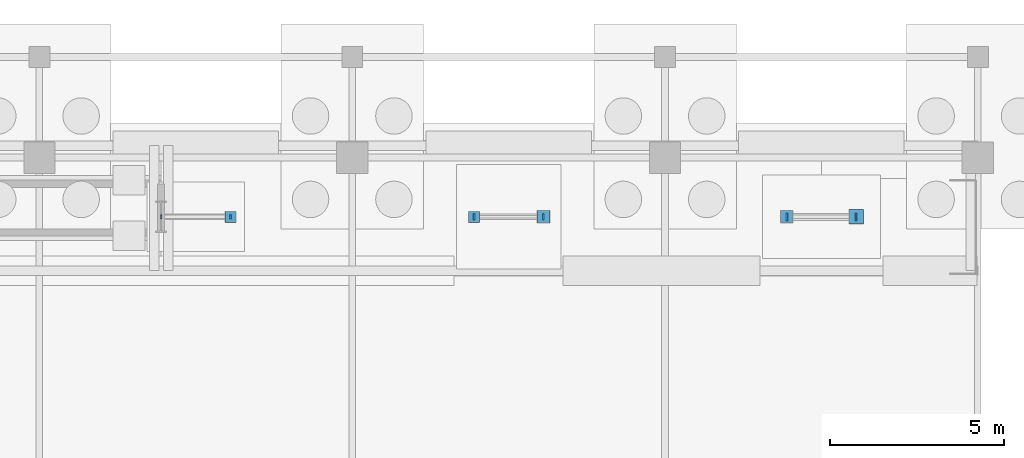
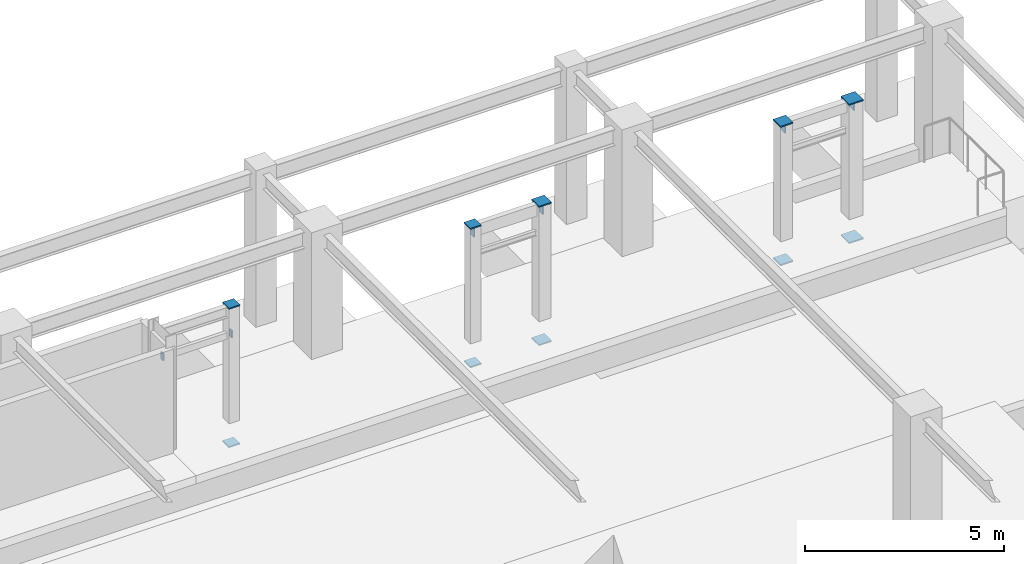
# One storey, part 143 of 160: 16 discrete accessories.
"""IFC4 building model written with IfcOpenShell, lengths in metres."""

from ifc_helpers import new_model, si_unit, direction, frame, origin, origin_2d, place, context, subcontext, project, spatial, rectangle, extrude, material, element, save


model = new_model("IFC4")

# Units and contexts
model_context = context("Model", 3, precision=1e-05, world=origin(), true_north=direction((0.0, 1.0)))
body_context = subcontext(model_context, "Body", "Model", "MODEL_VIEW")
ifc_project = project(units=[si_unit("LENGTHUNIT", "METRE"), si_unit("AREAUNIT", "SQUARE_METRE"), si_unit("VOLUMEUNIT", "CUBIC_METRE"), si_unit("PLANEANGLEUNIT", "RADIAN"), si_unit("MASSUNIT", "GRAM", prefix="KILO")], contexts=[model_context])

# Site, building, storey
site_placement = place(None, origin())
site = spatial("IfcSite", under=ifc_project, at=site_placement, CompositionType="ELEMENT")
building_placement = place(site_placement, origin())
building = spatial("IfcBuilding", under=site, at=building_placement, Name="Marlcrest Central Station", CompositionType="ELEMENT")
storey_placement = place(building_placement, origin())
storey = spatial("IfcBuildingStorey", under=building, at=storey_placement, Name="L00", CompositionType="ELEMENT", Elevation=0.0)

# Discrete accessories
ifc_material = material(Name="Steel S355", Category="steel")
for number, where, z_axis, x_axis, name in (
    (1, (194.5, 93.800048828125, 0.18505859375), (0.0, 0.0, 1.0), (1.0, 0.0, 0.0), "endcap-col-SC-19-L00-0928-s"),
    (2, (194.5, 93.800048828125, 4.425048828125), (0.0, 0.0, 1.0), (1.0, 0.0, 0.0), "endcap-col-SC-19-L00-0928-e"),
):
    element("IfcDiscreteAccessory", number, at=place(storey_placement, frame(where, z_axis=z_axis, x_axis=x_axis)), inside=storey, material=ifc_material, Name=name, ObjectType="END_CAP_PLATE", PredefinedType="BRACKET", context=body_context, shape_type="SweptSolid", body=[
        extrude(rectangle(XDim=0.31591796875, YDim=0.31591796875, at=origin_2d()), origin(), (0.0, 0.0, 1.0), 0.0400390625),
    ])
for number, where, z_axis, x_axis, name in (
    (3, (192.485107421875, 93.800048828125, 3.550048828125), (1.0, 0.0, 0.0), (0.0, 1.0, 0.0), "endcap-mem-PR-08-L00-02555-s"),
    (4, (194.47509765625, 93.800048828125, 3.550048828125), (1.0, 0.0, 0.0), (0.0, 1.0, 0.0), "endcap-mem-PR-08-L00-02555-e"),
):
    element("IfcDiscreteAccessory", number, at=place(storey_placement, frame(where, z_axis=z_axis, x_axis=x_axis)), inside=storey, material=ifc_material, Name=name, ObjectType="END_CAP_PLATE", PredefinedType="BRACKET", context=body_context, shape_type="SweptSolid", body=[
        extrude(rectangle(XDim=0.115966796875, YDim=0.216064453125, at=origin_2d()), origin(), (0.0, 0.0, 1.0), 0.0400390625),
    ])
for number, where, z_axis, x_axis, name in (
    (5, (201.5, 93.800048828125, 0.18505859375), (0.0, 0.0, 1.0), (1.0, 0.0, 0.0), "endcap-col-SC-19-L00-0931-s"),
    (6, (201.5, 93.800048828125, 4.425048828125), (0.0, 0.0, 1.0), (1.0, 0.0, 0.0), "endcap-col-SC-19-L00-0931-e"),
):
    element("IfcDiscreteAccessory", number, at=place(storey_placement, frame(where, z_axis=z_axis, x_axis=x_axis)), inside=storey, material=ifc_material, Name=name, ObjectType="END_CAP_PLATE", PredefinedType="BRACKET", context=body_context, shape_type="SweptSolid", body=[
        extrude(rectangle(XDim=0.31591796875, YDim=0.31591796875, at=origin_2d()), origin(), (0.0, 0.0, 1.0), 0.0400390625),
    ])
for number, where, z_axis, x_axis, name in (
    (7, (203.5, 93.800048828125, 0.18505859375), (0.0, 0.0, 1.0), (1.0, 0.0, 0.0), "endcap-col-SC-20-L00-0932-s"),
    (8, (203.5, 93.800048828125, 4.425048828125), (0.0, 0.0, 1.0), (1.0, 0.0, 0.0), "endcap-col-SC-20-L00-0932-e"),
):
    element("IfcDiscreteAccessory", number, at=place(storey_placement, frame(where, z_axis=z_axis, x_axis=x_axis)), inside=storey, material=ifc_material, Name=name, ObjectType="END_CAP_PLATE", PredefinedType="BRACKET", context=body_context, shape_type="SweptSolid", body=[
        extrude(rectangle(XDim=0.365966796875, YDim=0.365966796875, at=origin_2d()), origin(), (0.0, 0.0, 1.0), 0.0400390625),
    ])
for number, where, z_axis, x_axis, name in (
    (9, (201.485107421875, 93.800048828125, 4.27490234375), (1.0, 0.0, 0.0), (0.0, 1.0, 0.0), "endcap-bm-SP-04-L00-01563-s"),
    (10, (203.47509765625, 93.800048828125, 4.27490234375), (1.0, 0.0, 0.0), (0.0, 1.0, 0.0), "endcap-bm-SP-04-L00-01563-e"),
):
    element("IfcDiscreteAccessory", number, at=place(storey_placement, frame(where, z_axis=z_axis, x_axis=x_axis)), inside=storey, material=ifc_material, Name=name, ObjectType="END_CAP_PLATE", PredefinedType="BRACKET", context=body_context, shape_type="SweptSolid", body=[
        extrude(rectangle(XDim=0.166015625, YDim=0.365966796875, at=origin_2d()), origin(), (0.0, 0.0, 1.0), 0.0400390625),
    ])
for number, where, z_axis, x_axis, name in (
    (11, (210.5, 93.800048828125, 0.18505859375), (0.0, 0.0, 1.0), (1.0, 0.0, 0.0), "endcap-col-SC-20-L00-0935-s"),
    (12, (210.5, 93.800048828125, 4.425048828125), (0.0, 0.0, 1.0), (1.0, 0.0, 0.0), "endcap-col-SC-20-L00-0935-e"),
):
    element("IfcDiscreteAccessory", number, at=place(storey_placement, frame(where, z_axis=z_axis, x_axis=x_axis)), inside=storey, material=ifc_material, Name=name, ObjectType="END_CAP_PLATE", PredefinedType="BRACKET", context=body_context, shape_type="SweptSolid", body=[
        extrude(rectangle(XDim=0.365966796875, YDim=0.365966796875, at=origin_2d()), origin(), (0.0, 0.0, 1.0), 0.0400390625),
    ])
for number, where, z_axis, x_axis, name in (
    (13, (212.5, 93.800048828125, 0.18505859375), (0.0, 0.0, 1.0), (1.0, 0.0, 0.0), "endcap-col-SC-21-L00-0936-s"),
    (14, (212.5, 93.800048828125, 4.425048828125), (0.0, 0.0, 1.0), (1.0, 0.0, 0.0), "endcap-col-SC-21-L00-0936-e"),
):
    element("IfcDiscreteAccessory", number, at=place(storey_placement, frame(where, z_axis=z_axis, x_axis=x_axis)), inside=storey, material=ifc_material, Name=name, ObjectType="END_CAP_PLATE", PredefinedType="BRACKET", context=body_context, shape_type="SweptSolid", body=[
        extrude(rectangle(XDim=0.416015625, YDim=0.416015625, at=origin_2d()), origin(), (0.0, 0.0, 1.0), 0.0400390625),
    ])
for number, where, z_axis, x_axis, name in (
    (15, (210.485107421875, 93.800048828125, 4.300048828125), (1.0, 0.0, 0.0), (0.0, 1.0, 0.0), "endcap-bm-SP-05-L00-01565-s"),
    (16, (212.47509765625, 93.800048828125, 4.300048828125), (1.0, 0.0, 0.0), (0.0, 1.0, 0.0), "endcap-bm-SP-05-L00-01565-e"),
):
    element("IfcDiscreteAccessory", number, at=place(storey_placement, frame(where, z_axis=z_axis, x_axis=x_axis)), inside=storey, material=ifc_material, Name=name, ObjectType="END_CAP_PLATE", PredefinedType="BRACKET", context=body_context, shape_type="SweptSolid", body=[
        extrude(rectangle(XDim=0.216064453125, YDim=0.31591796875, at=origin_2d()), origin(), (0.0, 0.0, 1.0), 0.0400390625),
    ])

save(model, "model.ifc")
